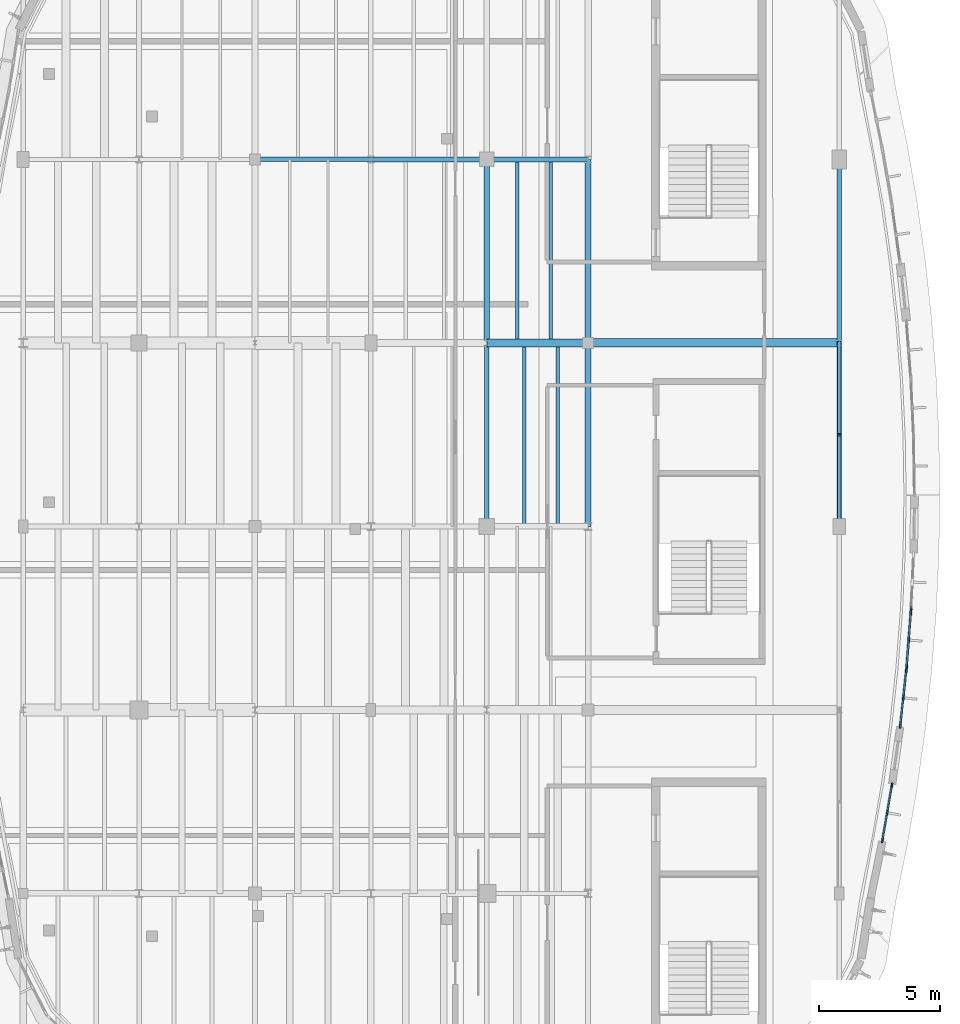
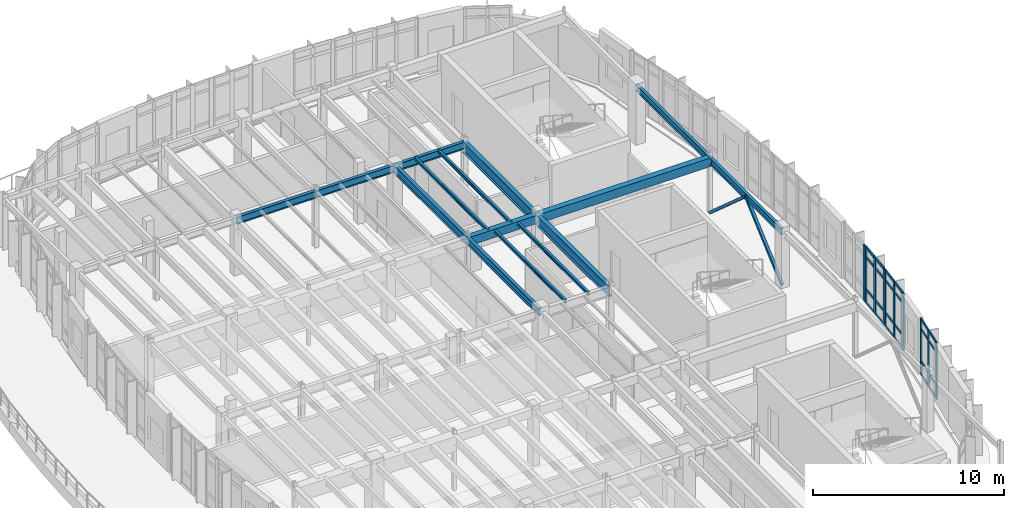
# One storey, part 52 of 111: 36 members, 15 beams, 4 elements without a shape of their own.
"""IFC4 building model written with IfcOpenShell, lengths in metres."""

from ifc_helpers import new_model, si_unit, direction, frame, origin, origin_2d, place, context, subcontext, project, spatial, rectangle, hollow_rectangle, i_section, extrude, material, material_profile, profile_set, type_object, element, aggregate, save


model = new_model("IFC4")

# Units and contexts
model_context = context("Model", 3, precision=1e-05, world=origin(), true_north=direction((0.0, 1.0)))
body_context = subcontext(model_context, "Body", "Model", "MODEL_VIEW")
ifc_project = project(units=[si_unit("LENGTHUNIT", "METRE"), si_unit("AREAUNIT", "SQUARE_METRE"), si_unit("VOLUMEUNIT", "CUBIC_METRE"), si_unit("PLANEANGLEUNIT", "RADIAN"), si_unit("MASSUNIT", "GRAM", prefix="KILO")], contexts=[model_context])

# Site, building, storey
site_placement = place(None, origin())
site = spatial("IfcSite", under=ifc_project, at=site_placement, CompositionType="ELEMENT")
building_placement = place(site_placement, origin())
building = spatial("IfcBuilding", under=site, at=building_placement, Name="Corveleigh Park Community Centre", CompositionType="ELEMENT")
storey_placement = place(building_placement, frame((0.0, 0.0, 4.800048828125)))
storey = spatial("IfcBuildingStorey", under=building, at=storey_placement, Name="L01", CompositionType="ELEMENT", Elevation=4.800048828125)

# Beams
ifc_material_1 = material(Name="Concrete C40/50", Category="concrete")
ifc_material_profile_1 = material_profile(ifc_material_1, rectangle(XDim=0.324951171875, YDim=0.52490234375, at=origin_2d()), Name="RC-325x525", Category="concrete")
ifc_profile_set_1 = profile_set([ifc_material_profile_1], Name="Concrete C40/50")
beam_type_1 = type_object("IfcBeamType", Name="BM-RC-325x525", PredefinedType="BEAM", material=ifc_profile_set_1)
beam_1_placement = place(storey_placement, frame((153.804931640625, 89.0, 3.349365234375), z_axis=(1.0, 0.0, 0.0), x_axis=(0.0, 1.0, 0.0)))
element("IfcBeam", 1, at=beam_1_placement, inside=storey, type_object=beam_type_1, Name="V4 Girder X", PredefinedType="BEAM", context=body_context, shape_type="SweptSolid", body=[
    extrude(rectangle(XDim=0.324951171875, YDim=0.52490234375, at=origin_2d()), origin(), (0.0, 0.0, 1.0), 4.190185546875),
])
ifc_material_profile_2 = material_profile(ifc_material_1, rectangle(XDim=0.35009765625, YDim=0.550048828125, at=origin_2d()), Name="RC-350x550", Category="concrete")
ifc_profile_set_2 = profile_set([ifc_material_profile_2], Name="Concrete C40/50")
beam_type_2 = type_object("IfcBeamType", Name="BM-RC-350x550", PredefinedType="BEAM", material=ifc_profile_set_2)
beam_2_placement = place(storey_placement, frame((158.0048828125, 89.0, 3.3369140625), z_axis=(1.0, 0.0, 0.0), x_axis=(0.0, 1.0, 0.0)))
element("IfcBeam", 2, at=beam_2_placement, inside=storey, type_object=beam_type_2, Name="V4 Girder X", PredefinedType="BEAM", context=body_context, shape_type="SweptSolid", body=[
    extrude(rectangle(XDim=0.35009765625, YDim=0.550048828125, at=origin_2d()), origin(), (0.0, 0.0, 1.0), 10.39013671875),
])
ifc_material_2 = material(Name="Steel S355", Category="steel")
ifc_material_profile_3 = material_profile(ifc_material_2, i_section(OverallWidth=0.13330078125, OverallDepth=0.203125, WebThickness=0.005615234375, FlangeThickness=0.0078125, at=origin_2d()), Name="UKB 203x133x25", Category="steel")
ifc_profile_set_3 = profile_set([ifc_material_profile_3], Name="Steel S355")
beam_type_3 = type_object("IfcBeamType", Name="BM-STL-UKB203x25", PredefinedType="JOIST", material=ifc_profile_set_3)
for number, where, z_axis, x_axis, name in (
    (3, (155.35400390625, 81.405029296875, 3.51025390625), (0.0, 1.0, 0.0), (-1.0, 0.0, 0.0), "Secondary floor joist"),
    (4, (156.739990234375, 81.405029296875, 3.51025390625), (0.0, 1.0, 0.0), (-1.0, 0.0, 0.0), "Secondary floor joist"),
):
    element("IfcBeam", number, at=place(storey_placement, frame(where, z_axis=z_axis, x_axis=x_axis)), inside=storey, type_object=beam_type_3, Name=name, PredefinedType="JOIST", context=body_context, shape_type="SweptSolid", body=[
        extrude(i_section(OverallWidth=0.13330078125, OverallDepth=0.203125, WebThickness=0.005615234375, FlangeThickness=0.0078125, at=origin_2d()), origin(), (0.0, 0.0, 1.0), 7.590087890625),
    ])
ifc_material_profile_4 = material_profile(ifc_material_2, i_section(OverallWidth=0.1337890625, OverallDepth=0.206787109375, WebThickness=0.00634765625, FlangeThickness=0.009521484375, at=origin_2d()), Name="UKB 203x133x30", Category="steel")
ifc_profile_set_4 = profile_set([ifc_material_profile_4], Name="Steel S355")
beam_type_4 = type_object("IfcBeamType", Name="BM-STL-UKB203x30", PredefinedType="JOIST", material=ifc_profile_set_4)
for number, where, z_axis, x_axis, name in (
    (5, (155.06005859375, 89.0048828125, 3.508544921875), (0.0, 1.0, 0.0), (-1.0, 0.0, 0.0), "Secondary floor joist"),
    (6, (156.446044921875, 89.0048828125, 3.508544921875), (0.0, 1.0, 0.0), (-1.0, 0.0, 0.0), "Secondary floor joist"),
):
    element("IfcBeam", number, at=place(storey_placement, frame(where, z_axis=z_axis, x_axis=x_axis)), inside=storey, type_object=beam_type_4, Name=name, PredefinedType="JOIST", context=body_context, shape_type="SweptSolid", body=[
        extrude(i_section(OverallWidth=0.1337890625, OverallDepth=0.206787109375, WebThickness=0.00634765625, FlangeThickness=0.009521484375, at=origin_2d()), origin(), (0.0, 0.0, 1.0), 7.590087890625),
    ])
ifc_material_profile_5 = material_profile(ifc_material_2, i_section(OverallWidth=0.1787109375, OverallDepth=0.409423828125, WebThickness=0.0087890625, FlangeThickness=0.014404296875, at=origin_2d()), Name="UKB 406x178x67", Category="steel")
ifc_profile_set_5 = profile_set([ifc_material_profile_5], Name="Steel S355")
beam_type_5 = type_object("IfcBeamType", Name="BM-STL-UKB406x67", PredefinedType="BEAM", material=ifc_profile_set_5)
beam_3_placement = place(storey_placement, frame((168.39990234375, 81.405029296875, 3.4072265625), z_axis=(0.0, 1.0, 0.0), x_axis=(-1.0, 0.0, 0.0)))
element("IfcBeam", 7, at=beam_3_placement, inside=storey, type_object=beam_type_5, Name="V4 Girder Y", PredefinedType="BEAM", context=body_context, shape_type="SweptSolid", body=[
    extrude(i_section(OverallWidth=0.1787109375, OverallDepth=0.409423828125, WebThickness=0.0087890625, FlangeThickness=0.014404296875, at=origin_2d()), origin(), (0.0, 0.0, 1.0), 7.590087890625),
])
ifc_material_profile_6 = material_profile(ifc_material_2, i_section(OverallWidth=0.179443359375, OverallDepth=0.412841796875, WebThickness=0.009521484375, FlangeThickness=0.01611328125, at=origin_2d()), Name="UKB 406x178x74", Category="steel")
ifc_profile_set_6 = profile_set([ifc_material_profile_6], Name="Steel S355")
beam_type_6 = type_object("IfcBeamType", Name="BM-STL-UKB406x74", PredefinedType="BEAM", material=ifc_profile_set_6)
beam_4_placement = place(storey_placement, frame((168.39990234375, 89.0048828125, 3.405517578125), z_axis=(0.0, 1.0, 0.0), x_axis=(-1.0, 0.0, 0.0)))
element("IfcBeam", 8, at=beam_4_placement, inside=storey, type_object=beam_type_6, Name="V4 Girder Y", PredefinedType="BEAM", context=body_context, shape_type="SweptSolid", body=[
    extrude(i_section(OverallWidth=0.179443359375, OverallDepth=0.412841796875, WebThickness=0.009521484375, FlangeThickness=0.01611328125, at=origin_2d()), origin(), (0.0, 0.0, 1.0), 7.590087890625),
])
ifc_material_profile_7 = material_profile(ifc_material_2, i_section(OverallWidth=0.18994140625, OverallDepth=0.453369140625, WebThickness=0.008544921875, FlangeThickness=0.0126953125, at=origin_2d()), Name="UKB 457x191x67", Category="steel")
ifc_profile_set_7 = profile_set([ifc_material_profile_7], Name="Steel S355")
beam_type_7 = type_object("IfcBeamType", Name="BM-STL-UKB457x67", PredefinedType="BEAM", material=ifc_profile_set_7)
beam_5_placement = place(storey_placement, frame((144.205078125, 96.60009765625, 3.38525390625), z_axis=(1.0, 0.0, 0.0), x_axis=(0.0, 1.0, 0.0)))
element("IfcBeam", 9, at=beam_5_placement, inside=storey, type_object=beam_type_7, Name="V4 Girder X", PredefinedType="BEAM", context=body_context, shape_type="SweptSolid", body=[
    extrude(i_section(OverallWidth=0.18994140625, OverallDepth=0.453369140625, WebThickness=0.008544921875, FlangeThickness=0.0126953125, at=origin_2d()), origin(), (0.0, 0.0, 1.0), 4.7900390625),
])
ifc_material_profile_8 = material_profile(ifc_material_2, i_section(OverallWidth=0.1904296875, OverallDepth=0.45703125, WebThickness=0.009033203125, FlangeThickness=0.014404296875, at=origin_2d()), Name="UKB 457x191x74", Category="steel")
ifc_profile_set_8 = profile_set([ifc_material_profile_8], Name="Steel S355")
beam_type_8 = type_object("IfcBeamType", Name="BM-STL-UKB457x74", PredefinedType="BEAM", material=ifc_profile_set_8)
beam_6_placement = place(storey_placement, frame((149.0048828125, 96.60009765625, 3.383544921875), z_axis=(1.0, 0.0, 0.0), x_axis=(0.0, 1.0, 0.0)))
element("IfcBeam", 10, at=beam_6_placement, inside=storey, type_object=beam_type_8, Name="V4 Girder X", PredefinedType="BEAM", context=body_context, shape_type="SweptSolid", body=[
    extrude(i_section(OverallWidth=0.1904296875, OverallDepth=0.45703125, WebThickness=0.009033203125, FlangeThickness=0.014404296875, at=origin_2d()), origin(), (0.0, 0.0, 1.0), 4.7900390625),
])
ifc_material_profile_9 = material_profile(ifc_material_2, i_section(OverallWidth=0.19140625, OverallDepth=0.4599609375, WebThickness=0.010009765625, FlangeThickness=0.01611328125, at=origin_2d()), Name="UKB 457x191x82", Category="steel")
ifc_profile_set_9 = profile_set([ifc_material_profile_9], Name="Steel S355")
beam_type_9 = type_object("IfcBeamType", Name="BM-STL-UKB457x82", PredefinedType="BEAM", material=ifc_profile_set_9)
beam_7_placement = place(storey_placement, frame((153.804931640625, 96.60009765625, 3.3818359375), z_axis=(1.0, 0.0, 0.0), x_axis=(0.0, 1.0, 0.0)))
element("IfcBeam", 11, at=beam_7_placement, inside=storey, type_object=beam_type_9, Name="V4 Girder X", PredefinedType="BEAM", context=body_context, shape_type="SweptSolid", body=[
    extrude(i_section(OverallWidth=0.19140625, OverallDepth=0.4599609375, WebThickness=0.010009765625, FlangeThickness=0.01611328125, at=origin_2d()), origin(), (0.0, 0.0, 1.0), 4.190185546875),
])
ifc_material_profile_10 = material_profile(ifc_material_2, i_section(OverallWidth=0.19189453125, OverallDepth=0.46337890625, WebThickness=0.010498046875, FlangeThickness=0.017578125, at=origin_2d()), Name="UKB 457x191x89", Category="steel")
ifc_profile_set_10 = profile_set([ifc_material_profile_10], Name="Steel S355")
beam_type_10 = type_object("IfcBeamType", Name="BM-STL-UKB457x89", PredefinedType="BEAM", material=ifc_profile_set_10)
beam_8_placement = place(storey_placement, frame((153.800048828125, 81.405029296875, 3.38037109375), z_axis=(0.0, 1.0, 0.0), x_axis=(-1.0, 0.0, 0.0)))
element("IfcBeam", 12, at=beam_8_placement, inside=storey, type_object=beam_type_10, Name="V4 Girder Y", PredefinedType="BEAM", context=body_context, shape_type="SweptSolid", body=[
    extrude(i_section(OverallWidth=0.19189453125, OverallDepth=0.46337890625, WebThickness=0.010498046875, FlangeThickness=0.017578125, at=origin_2d()), origin(), (0.0, 0.0, 1.0), 7.590087890625),
])
ifc_material_profile_11 = material_profile(ifc_material_2, i_section(OverallWidth=0.209228515625, OverallDepth=0.533203125, WebThickness=0.010009765625, FlangeThickness=0.015625, at=origin_2d()), Name="UKB 533x210x92", Category="steel")
ifc_profile_set_11 = profile_set([ifc_material_profile_11], Name="Steel S355")
beam_type_11 = type_object("IfcBeamType", Name="BM-STL-UKB533x92", PredefinedType="BEAM", material=ifc_profile_set_11)
beam_9_placement = place(storey_placement, frame((153.800048828125, 89.0048828125, 3.345458984375), z_axis=(0.0, 1.0, 0.0), x_axis=(-1.0, 0.0, 0.0)))
element("IfcBeam", 13, at=beam_9_placement, inside=storey, type_object=beam_type_11, Name="V4 Girder Y", PredefinedType="BEAM", context=body_context, shape_type="SweptSolid", body=[
    extrude(i_section(OverallWidth=0.209228515625, OverallDepth=0.533203125, WebThickness=0.010009765625, FlangeThickness=0.015625, at=origin_2d()), origin(), (0.0, 0.0, 1.0), 7.590087890625),
])
ifc_material_profile_12 = material_profile(ifc_material_2, i_section(OverallWidth=0.253662109375, OverallDepth=0.68359375, WebThickness=0.012451171875, FlangeThickness=0.01904296875, at=origin_2d()), Name="UKB 686x254x140", Category="steel")
ifc_profile_set_12 = profile_set([ifc_material_profile_12], Name="Steel S355")
beam_type_12 = type_object("IfcBeamType", Name="BM-STL-UKB686x140", PredefinedType="BEAM", material=ifc_profile_set_12)
beam_10_placement = place(storey_placement, frame((158.0, 81.405029296875, 3.270263671875), z_axis=(0.0, 1.0, 0.0), x_axis=(-1.0, 0.0, 0.0)))
element("IfcBeam", 14, at=beam_10_placement, inside=storey, type_object=beam_type_12, Name="V4 Girder Y", PredefinedType="BEAM", context=body_context, shape_type="SweptSolid", body=[
    extrude(i_section(OverallWidth=0.253662109375, OverallDepth=0.68359375, WebThickness=0.012451171875, FlangeThickness=0.01904296875, at=origin_2d()), origin(), (0.0, 0.0, 1.0), 7.590087890625),
])
ifc_material_profile_13 = material_profile(ifc_material_2, i_section(OverallWidth=0.25439453125, OverallDepth=0.6875, WebThickness=0.01318359375, FlangeThickness=0.02099609375, at=origin_2d()), Name="UKB 686x254x152", Category="steel")
ifc_profile_set_13 = profile_set([ifc_material_profile_13], Name="Steel S355")
beam_type_13 = type_object("IfcBeamType", Name="BM-STL-UKB686x152", PredefinedType="BEAM", material=ifc_profile_set_13)
beam_11_placement = place(storey_placement, frame((158.0, 89.0048828125, 3.268310546875), z_axis=(0.0, 1.0, 0.0), x_axis=(-1.0, 0.0, 0.0)))
element("IfcBeam", 15, at=beam_11_placement, inside=storey, type_object=beam_type_13, Name="V4 Girder Y", PredefinedType="BEAM", context=body_context, shape_type="SweptSolid", body=[
    extrude(i_section(OverallWidth=0.25439453125, OverallDepth=0.6875, WebThickness=0.01318359375, FlangeThickness=0.02099609375, at=origin_2d()), origin(), (0.0, 0.0, 1.0), 7.590087890625),
])

# Curtain wall, members
ifc_material_3 = material(Name="Anodised aluminium 6063-T6", Category="aluminium")
curtain_wall_type = type_object("IfcCurtainWallType", Name="CW-SYS-V4-L01", PredefinedType="NOTDEFINED", material=ifc_material_3)
curtain_wall_1_placement = place(storey_placement, origin())
curtain_wall_1 = element("IfcCurtainWall", 16, at=curtain_wall_1_placement, inside=storey, type_object=curtain_wall_type, Name="V4 L01 Curtain Wall 267", PredefinedType="NOTDEFINED")
ifc_material_profile_14 = material_profile(ifc_material_3, rectangle(XDim=0.070068359375, YDim=0.199951171875, at=origin_2d()), Name="ALU-M70x200", Category="aluminium")
ifc_profile_set_14 = profile_set([ifc_material_profile_14], Name="Anodised aluminium 6063-T6")
member_type_1 = type_object("IfcMemberType", Name="CWM-70x200", PredefinedType="MULLION", material=ifc_profile_set_14)
member_1_placement = place(storey_placement, frame((170.5810546875, 70.681396484375, 0.0), z_axis=(0.0, 0.0, 1.0), x_axis=(0.985554357724, -0.16935940473, 0.0)))
member_1 = element("IfcMember", 17, at=member_1_placement, type_object=member_type_1, Name="CW08 mullion 1", PredefinedType="MULLION", context=body_context, shape_type="SweptSolid", body=[
    extrude(rectangle(XDim=0.070068359375, YDim=0.199951171875, at=origin_2d()), origin(), (0.0, 0.0, 1.0), 3.612060546875),
])
member_2_placement = place(storey_placement, frame((170.385009765625, 69.54052734375, 0.0), z_axis=(0.0, 0.0, 1.0), x_axis=(0.985554357724, -0.16935940473, 0.0)))
member_2 = element("IfcMember", 18, at=member_2_placement, type_object=member_type_1, Name="CW08 mullion 2", PredefinedType="MULLION", context=body_context, shape_type="SweptSolid", body=[
    extrude(rectangle(XDim=0.070068359375, YDim=0.199951171875, at=origin_2d()), origin(), (0.0, 0.0, 1.0), 3.612060546875),
])
member_3_placement = place(storey_placement, frame((170.18896484375, 68.3994140625, 0.0), z_axis=(0.0, 0.0, 1.0), x_axis=(0.985554357724, -0.16935940473, 0.0)))
member_3 = element("IfcMember", 19, at=member_3_placement, type_object=member_type_1, Name="CW08 mullion 3", PredefinedType="MULLION", context=body_context, shape_type="SweptSolid", body=[
    extrude(rectangle(XDim=0.070068359375, YDim=0.199951171875, at=origin_2d()), origin(), (0.0, 0.0, 1.0), 3.612060546875),
])

curtain_wall_2_placement = place(storey_placement, origin())
curtain_wall_2 = element("IfcCurtainWall", 20, at=curtain_wall_2_placement, inside=storey, type_object=curtain_wall_type, Name="V4 L01 Curtain Wall 268", PredefinedType="NOTDEFINED")
ifc_material_profile_15 = material_profile(ifc_material_3, rectangle(XDim=0.074951171875, YDim=0.219970703125, at=origin_2d()), Name="ALU-M75x220", Category="aluminium")
ifc_profile_set_15 = profile_set([ifc_material_profile_15], Name="Anodised aluminium 6063-T6")
member_type_2 = type_object("IfcMemberType", Name="CWM-75x220", PredefinedType="MULLION", material=ifc_profile_set_15)
member_4_placement = place(storey_placement, frame((171.177978515625, 75.45068359375, 0.0), z_axis=(0.0, 0.0, 1.0), x_axis=(0.994136630225, -0.108131218641, 0.0)))
member_4 = element("IfcMember", 21, at=member_4_placement, type_object=member_type_2, Name="CW08 mullion 1", PredefinedType="MULLION", context=body_context, shape_type="SweptSolid", body=[
    extrude(rectangle(XDim=0.074951171875, YDim=0.219970703125, at=origin_2d()), origin(), (0.0, 0.0, 1.0), 3.612060546875),
])
member_5_placement = place(storey_placement, frame((171.052978515625, 74.302001953125, 0.0), z_axis=(0.0, 0.0, 1.0), x_axis=(0.994136630225, -0.108131218641, 0.0)))
member_5 = element("IfcMember", 22, at=member_5_placement, type_object=member_type_2, Name="CW08 mullion 2", PredefinedType="MULLION", context=body_context, shape_type="SweptSolid", body=[
    extrude(rectangle(XDim=0.074951171875, YDim=0.219970703125, at=origin_2d()), origin(), (0.0, 0.0, 1.0), 3.612060546875),
])
member_6_placement = place(storey_placement, frame((170.927978515625, 73.1533203125, 0.0), z_axis=(0.0, 0.0, 1.0), x_axis=(0.994136630225, -0.108131218641, 0.0)))
member_6 = element("IfcMember", 23, at=member_6_placement, type_object=member_type_2, Name="CW08 mullion 3", PredefinedType="MULLION", context=body_context, shape_type="SweptSolid", body=[
    extrude(rectangle(XDim=0.074951171875, YDim=0.219970703125, at=origin_2d()), origin(), (0.0, 0.0, 1.0), 3.612060546875),
])

curtain_wall_3_placement = place(storey_placement, origin())
curtain_wall_3 = element("IfcCurtainWall", 24, at=curtain_wall_3_placement, inside=storey, type_object=curtain_wall_type, Name="V4 L01 Curtain Wall 269", PredefinedType="NOTDEFINED")
ifc_material_profile_16 = material_profile(ifc_material_3, rectangle(XDim=0.080078125, YDim=0.25, at=origin_2d()), Name="ALU-M80x250", Category="aluminium")
ifc_profile_set_16 = profile_set([ifc_material_profile_16], Name="Anodised aluminium 6063-T6")
member_type_3 = type_object("IfcMemberType", Name="CWM-80x250", PredefinedType="MULLION", material=ifc_profile_set_16)
member_7_placement = place(storey_placement, frame((171.364990234375, 77.84521484375, 0.0), z_axis=(0.0, 0.0, 1.0), x_axis=(0.997022350164, -0.077113119982, 0.0)))
member_7 = element("IfcMember", 25, at=member_7_placement, type_object=member_type_3, Name="CW08 mullion 1", PredefinedType="MULLION", context=body_context, shape_type="SweptSolid", body=[
    extrude(rectangle(XDim=0.080078125, YDim=0.25, at=origin_2d()), origin(), (0.0, 0.0, 1.0), 3.612060546875),
])
member_8_placement = place(storey_placement, frame((171.27587890625, 76.695556640625, 0.0), z_axis=(0.0, 0.0, 1.0), x_axis=(0.997022350164, -0.077113119982, 0.0)))
member_8 = element("IfcMember", 26, at=member_8_placement, type_object=member_type_3, Name="CW08 mullion 2", PredefinedType="MULLION", context=body_context, shape_type="SweptSolid", body=[
    extrude(rectangle(XDim=0.080078125, YDim=0.25, at=origin_2d()), origin(), (0.0, 0.0, 1.0), 3.612060546875),
])
member_9_placement = place(storey_placement, frame((171.18701171875, 75.5458984375, 0.0), z_axis=(0.0, 0.0, 1.0), x_axis=(0.997022350164, -0.077113119982, 0.0)))
member_9 = element("IfcMember", 27, at=member_9_placement, type_object=member_type_3, Name="CW08 mullion 3", PredefinedType="MULLION", context=body_context, shape_type="SweptSolid", body=[
    extrude(rectangle(XDim=0.080078125, YDim=0.25, at=origin_2d()), origin(), (0.0, 0.0, 1.0), 3.612060546875),
])

# Curtain wall, member
curtain_wall_4_placement = place(storey_placement, origin())
curtain_wall_4 = element("IfcCurtainWall", 28, at=curtain_wall_4_placement, inside=storey, type_object=curtain_wall_type, Name="V4 L01 Curtain Wall 270", PredefinedType="NOTDEFINED")
ifc_material_profile_17 = material_profile(ifc_material_3, rectangle(XDim=0.0849609375, YDim=0.27490234375, at=origin_2d()), Name="ALU-M85x275", Category="aluminium")
ifc_profile_set_17 = profile_set([ifc_material_profile_17], Name="Anodised aluminium 6063-T6")
member_type_4 = type_object("IfcMemberType", Name="CWM-85x275", PredefinedType="MULLION", material=ifc_profile_set_17)
member_10_placement = place(storey_placement, frame((171.37109375, 77.945556640625, 0.0), z_axis=(0.0, 0.0, 1.0), x_axis=(0.9988982695, -0.046928106618, 0.0)))
member_10 = element("IfcMember", 29, at=member_10_placement, type_object=member_type_4, Name="CW08 mullion 3", PredefinedType="MULLION", context=body_context, shape_type="SweptSolid", body=[
    extrude(rectangle(XDim=0.0849609375, YDim=0.27490234375, at=origin_2d()), origin(), (0.0, 0.0, 1.0), 3.612060546875),
])
aggregate(curtain_wall_4, [member_10])

# Member
ifc_material_profile_18 = material_profile(ifc_material_3, rectangle(XDim=0.06494140625, YDim=0.139892578125, at=origin_2d()), Name="ALU-T65x140", Category="aluminium")
ifc_profile_set_18 = profile_set([ifc_material_profile_18], Name="Anodised aluminium 6063-T6")
member_type_5 = type_object("IfcMemberType", Name="CWT-65x140", PredefinedType="USERDEFINED", material=ifc_profile_set_18)
member_11_placement = place(storey_placement, frame((170.5751953125, 70.64697265625, 0.032470703125), z_axis=(-0.169455935428, -0.985537764851, 0.0), x_axis=(0.985537764851, -0.169455935428, 0.0)))
member_11 = element("IfcMember", 30, at=member_11_placement, type_object=member_type_5, Name="CW08 transom 1.1", ObjectType="TRANSOM", PredefinedType="USERDEFINED", context=body_context, shape_type="SweptSolid", body=[
    extrude(rectangle(XDim=0.06494140625, YDim=0.139892578125, at=origin_2d()), origin(), (0.0, 0.0, 1.0), 1.087646484375),
])

member_12_placement = place(storey_placement, frame((170.5751953125, 70.64697265625, 0.89990234375), z_axis=(-0.169455935428, -0.985537764851, 0.0), x_axis=(0.985537764851, -0.169455935428, 0.0)))
member_12 = element("IfcMember", 31, at=member_12_placement, type_object=member_type_5, Name="CW08 transom 1.2", ObjectType="TRANSOM", PredefinedType="USERDEFINED", context=body_context, shape_type="SweptSolid", body=[
    extrude(rectangle(XDim=0.06494140625, YDim=0.139892578125, at=origin_2d()), origin(), (0.0, 0.0, 1.0), 1.087646484375),
])

member_13_placement = place(storey_placement, frame((170.5751953125, 70.64697265625, 2.9619140625), z_axis=(-0.169455935428, -0.985537764851, 0.0), x_axis=(0.985537764851, -0.169455935428, 0.0)))
member_13 = element("IfcMember", 32, at=member_13_placement, type_object=member_type_5, Name="CW08 transom 1.3", ObjectType="TRANSOM", PredefinedType="USERDEFINED", context=body_context, shape_type="SweptSolid", body=[
    extrude(rectangle(XDim=0.06494140625, YDim=0.139892578125, at=origin_2d()), origin(), (0.0, 0.0, 1.0), 1.087646484375),
])

member_14_placement = place(storey_placement, frame((170.5751953125, 70.64697265625, 3.579345703125), z_axis=(-0.169455935428, -0.985537764851, 0.0), x_axis=(0.985537764851, -0.169455935428, 0.0)))
member_14 = element("IfcMember", 33, at=member_14_placement, type_object=member_type_5, Name="CW08 transom 1.4", ObjectType="TRANSOM", PredefinedType="USERDEFINED", context=body_context, shape_type="SweptSolid", body=[
    extrude(rectangle(XDim=0.06494140625, YDim=0.139892578125, at=origin_2d()), origin(), (0.0, 0.0, 1.0), 1.087646484375),
])

member_15_placement = place(storey_placement, frame((170.379150390625, 69.506103515625, 0.032470703125), z_axis=(-0.169455935428, -0.985537764851, 0.0), x_axis=(0.985537764851, -0.169455935428, 0.0)))
member_15 = element("IfcMember", 34, at=member_15_placement, type_object=member_type_5, Name="CW08 transom 2.1", ObjectType="TRANSOM", PredefinedType="USERDEFINED", context=body_context, shape_type="SweptSolid", body=[
    extrude(rectangle(XDim=0.06494140625, YDim=0.139892578125, at=origin_2d()), origin(), (0.0, 0.0, 1.0), 1.087646484375),
])

member_16_placement = place(storey_placement, frame((170.379150390625, 69.506103515625, 0.89990234375), z_axis=(-0.169455935428, -0.985537764851, 0.0), x_axis=(0.985537764851, -0.169455935428, 0.0)))
member_16 = element("IfcMember", 35, at=member_16_placement, type_object=member_type_5, Name="CW08 transom 2.2", ObjectType="TRANSOM", PredefinedType="USERDEFINED", context=body_context, shape_type="SweptSolid", body=[
    extrude(rectangle(XDim=0.06494140625, YDim=0.139892578125, at=origin_2d()), origin(), (0.0, 0.0, 1.0), 1.087646484375),
])

member_17_placement = place(storey_placement, frame((170.379150390625, 69.506103515625, 2.9619140625), z_axis=(-0.169455935428, -0.985537764851, 0.0), x_axis=(0.985537764851, -0.169455935428, 0.0)))
member_17 = element("IfcMember", 36, at=member_17_placement, type_object=member_type_5, Name="CW08 transom 2.3", ObjectType="TRANSOM", PredefinedType="USERDEFINED", context=body_context, shape_type="SweptSolid", body=[
    extrude(rectangle(XDim=0.06494140625, YDim=0.139892578125, at=origin_2d()), origin(), (0.0, 0.0, 1.0), 1.087646484375),
])

member_18_placement = place(storey_placement, frame((170.379150390625, 69.506103515625, 3.579345703125), z_axis=(-0.169455935428, -0.985537764851, 0.0), x_axis=(0.985537764851, -0.169455935428, 0.0)))
member_18 = element("IfcMember", 37, at=member_18_placement, type_object=member_type_5, Name="CW08 transom 2.4", ObjectType="TRANSOM", PredefinedType="USERDEFINED", context=body_context, shape_type="SweptSolid", body=[
    extrude(rectangle(XDim=0.06494140625, YDim=0.139892578125, at=origin_2d()), origin(), (0.0, 0.0, 1.0), 1.087646484375),
])

aggregate(curtain_wall_1, [member_1, member_2, member_3, member_11, member_12, member_13, member_14, member_15, member_16, member_17, member_18])

ifc_material_profile_19 = material_profile(ifc_material_3, rectangle(XDim=0.070068359375, YDim=0.155029296875, at=origin_2d()), Name="ALU-T70x155", Category="aluminium")
ifc_profile_set_19 = profile_set([ifc_material_profile_19], Name="Anodised aluminium 6063-T6")
member_type_6 = type_object("IfcMemberType", Name="CWT-70x155", PredefinedType="USERDEFINED", material=ifc_profile_set_19)
member_19_placement = place(storey_placement, frame((171.173828125, 75.413330078125, 0.034912109375), z_axis=(-0.108025191864, -0.994148156928, 0.0), x_axis=(0.994148156928, -0.108025191864, 0.0)))
member_19 = element("IfcMember", 38, at=member_19_placement, type_object=member_type_6, Name="CW08 transom 1.1", ObjectType="TRANSOM", PredefinedType="USERDEFINED", context=body_context, shape_type="SweptSolid", body=[
    extrude(rectangle(XDim=0.070068359375, YDim=0.155029296875, at=origin_2d()), origin(), (0.0, 0.0, 1.0), 1.080322265625),
])

member_20_placement = place(storey_placement, frame((171.173828125, 75.413330078125, 0.89990234375), z_axis=(-0.108025191864, -0.994148156928, 0.0), x_axis=(0.994148156928, -0.108025191864, 0.0)))
member_20 = element("IfcMember", 39, at=member_20_placement, type_object=member_type_6, Name="CW08 transom 1.2", ObjectType="TRANSOM", PredefinedType="USERDEFINED", context=body_context, shape_type="SweptSolid", body=[
    extrude(rectangle(XDim=0.070068359375, YDim=0.155029296875, at=origin_2d()), origin(), (0.0, 0.0, 1.0), 1.080322265625),
])

member_21_placement = place(storey_placement, frame((171.173828125, 75.413330078125, 2.9619140625), z_axis=(-0.108025191864, -0.994148156928, 0.0), x_axis=(0.994148156928, -0.108025191864, 0.0)))
member_21 = element("IfcMember", 40, at=member_21_placement, type_object=member_type_6, Name="CW08 transom 1.3", ObjectType="TRANSOM", PredefinedType="USERDEFINED", context=body_context, shape_type="SweptSolid", body=[
    extrude(rectangle(XDim=0.070068359375, YDim=0.155029296875, at=origin_2d()), origin(), (0.0, 0.0, 1.0), 1.080322265625),
])

member_22_placement = place(storey_placement, frame((171.173828125, 75.413330078125, 3.576904296875), z_axis=(-0.108025191864, -0.994148156928, 0.0), x_axis=(0.994148156928, -0.108025191864, 0.0)))
member_22 = element("IfcMember", 41, at=member_22_placement, type_object=member_type_6, Name="CW08 transom 1.4", ObjectType="TRANSOM", PredefinedType="USERDEFINED", context=body_context, shape_type="SweptSolid", body=[
    extrude(rectangle(XDim=0.070068359375, YDim=0.155029296875, at=origin_2d()), origin(), (0.0, 0.0, 1.0), 1.080322265625),
])

member_23_placement = place(storey_placement, frame((171.048828125, 74.2646484375, 0.034912109375), z_axis=(-0.108025191864, -0.994148156928, 0.0), x_axis=(0.994148156928, -0.108025191864, 0.0)))
member_23 = element("IfcMember", 42, at=member_23_placement, type_object=member_type_6, Name="CW08 transom 2.1", ObjectType="TRANSOM", PredefinedType="USERDEFINED", context=body_context, shape_type="SweptSolid", body=[
    extrude(rectangle(XDim=0.070068359375, YDim=0.155029296875, at=origin_2d()), origin(), (0.0, 0.0, 1.0), 1.080322265625),
])

member_24_placement = place(storey_placement, frame((171.048828125, 74.2646484375, 0.89990234375), z_axis=(-0.108025191864, -0.994148156928, 0.0), x_axis=(0.994148156928, -0.108025191864, 0.0)))
member_24 = element("IfcMember", 43, at=member_24_placement, type_object=member_type_6, Name="CW08 transom 2.2", ObjectType="TRANSOM", PredefinedType="USERDEFINED", context=body_context, shape_type="SweptSolid", body=[
    extrude(rectangle(XDim=0.070068359375, YDim=0.155029296875, at=origin_2d()), origin(), (0.0, 0.0, 1.0), 1.080322265625),
])

member_25_placement = place(storey_placement, frame((171.048828125, 74.2646484375, 2.9619140625), z_axis=(-0.108025191864, -0.994148156928, 0.0), x_axis=(0.994148156928, -0.108025191864, 0.0)))
member_25 = element("IfcMember", 44, at=member_25_placement, type_object=member_type_6, Name="CW08 transom 2.3", ObjectType="TRANSOM", PredefinedType="USERDEFINED", context=body_context, shape_type="SweptSolid", body=[
    extrude(rectangle(XDim=0.070068359375, YDim=0.155029296875, at=origin_2d()), origin(), (0.0, 0.0, 1.0), 1.080322265625),
])

member_26_placement = place(storey_placement, frame((171.048828125, 74.2646484375, 3.576904296875), z_axis=(-0.108025191864, -0.994148156928, 0.0), x_axis=(0.994148156928, -0.108025191864, 0.0)))
member_26 = element("IfcMember", 45, at=member_26_placement, type_object=member_type_6, Name="CW08 transom 2.4", ObjectType="TRANSOM", PredefinedType="USERDEFINED", context=body_context, shape_type="SweptSolid", body=[
    extrude(rectangle(XDim=0.070068359375, YDim=0.155029296875, at=origin_2d()), origin(), (0.0, 0.0, 1.0), 1.080322265625),
])

aggregate(curtain_wall_2, [member_4, member_5, member_6, member_19, member_20, member_21, member_22, member_23, member_24, member_25, member_26])

ifc_material_profile_20 = material_profile(ifc_material_3, rectangle(XDim=0.074951171875, YDim=0.175048828125, at=origin_2d()), Name="ALU-T75x175", Category="aluminium")
ifc_profile_set_20 = profile_set([ifc_material_profile_20], Name="Anodised aluminium 6063-T6")
member_type_7 = type_object("IfcMemberType", Name="CWT-75x175", PredefinedType="USERDEFINED", material=ifc_profile_set_20)
member_27_placement = place(storey_placement, frame((171.36181640625, 77.80517578125, 0.037353515625), z_axis=(-0.077131468635, -0.997020930847, 0.0), x_axis=(0.997020930847, -0.077131468635, 0.0)))
member_27 = element("IfcMember", 46, at=member_27_placement, type_object=member_type_7, Name="CW08 transom 1.1", ObjectType="TRANSOM", PredefinedType="USERDEFINED", context=body_context, shape_type="SweptSolid", body=[
    extrude(rectangle(XDim=0.074951171875, YDim=0.175048828125, at=origin_2d()), origin(), (0.0, 0.0, 1.0), 1.072998046875),
])

member_28_placement = place(storey_placement, frame((171.36181640625, 77.80517578125, 0.89990234375), z_axis=(-0.077131468635, -0.997020930847, 0.0), x_axis=(0.997020930847, -0.077131468635, 0.0)))
member_28 = element("IfcMember", 47, at=member_28_placement, type_object=member_type_7, Name="CW08 transom 1.2", ObjectType="TRANSOM", PredefinedType="USERDEFINED", context=body_context, shape_type="SweptSolid", body=[
    extrude(rectangle(XDim=0.074951171875, YDim=0.175048828125, at=origin_2d()), origin(), (0.0, 0.0, 1.0), 1.072998046875),
])

member_29_placement = place(storey_placement, frame((171.36181640625, 77.80517578125, 2.9619140625), z_axis=(-0.077131468635, -0.997020930847, 0.0), x_axis=(0.997020930847, -0.077131468635, 0.0)))
member_29 = element("IfcMember", 48, at=member_29_placement, type_object=member_type_7, Name="CW08 transom 1.3", ObjectType="TRANSOM", PredefinedType="USERDEFINED", context=body_context, shape_type="SweptSolid", body=[
    extrude(rectangle(XDim=0.074951171875, YDim=0.175048828125, at=origin_2d()), origin(), (0.0, 0.0, 1.0), 1.072998046875),
])

member_30_placement = place(storey_placement, frame((171.36181640625, 77.80517578125, 3.574462890625), z_axis=(-0.077131468635, -0.997020930847, 0.0), x_axis=(0.997020930847, -0.077131468635, 0.0)))
member_30 = element("IfcMember", 49, at=member_30_placement, type_object=member_type_7, Name="CW08 transom 1.4", ObjectType="TRANSOM", PredefinedType="USERDEFINED", context=body_context, shape_type="SweptSolid", body=[
    extrude(rectangle(XDim=0.074951171875, YDim=0.175048828125, at=origin_2d()), origin(), (0.0, 0.0, 1.0), 1.072998046875),
])

member_31_placement = place(storey_placement, frame((171.27294921875, 76.655517578125, 0.037353515625), z_axis=(-0.077131468635, -0.997020930847, 0.0), x_axis=(0.997020930847, -0.077131468635, 0.0)))
member_31 = element("IfcMember", 50, at=member_31_placement, type_object=member_type_7, Name="CW08 transom 2.1", ObjectType="TRANSOM", PredefinedType="USERDEFINED", context=body_context, shape_type="SweptSolid", body=[
    extrude(rectangle(XDim=0.074951171875, YDim=0.175048828125, at=origin_2d()), origin(), (0.0, 0.0, 1.0), 1.072998046875),
])

member_32_placement = place(storey_placement, frame((171.27294921875, 76.655517578125, 0.89990234375), z_axis=(-0.077131468635, -0.997020930847, 0.0), x_axis=(0.997020930847, -0.077131468635, 0.0)))
member_32 = element("IfcMember", 51, at=member_32_placement, type_object=member_type_7, Name="CW08 transom 2.2", ObjectType="TRANSOM", PredefinedType="USERDEFINED", context=body_context, shape_type="SweptSolid", body=[
    extrude(rectangle(XDim=0.074951171875, YDim=0.175048828125, at=origin_2d()), origin(), (0.0, 0.0, 1.0), 1.072998046875),
])

member_33_placement = place(storey_placement, frame((171.27294921875, 76.655517578125, 2.9619140625), z_axis=(-0.077131468635, -0.997020930847, 0.0), x_axis=(0.997020930847, -0.077131468635, 0.0)))
member_33 = element("IfcMember", 52, at=member_33_placement, type_object=member_type_7, Name="CW08 transom 2.3", ObjectType="TRANSOM", PredefinedType="USERDEFINED", context=body_context, shape_type="SweptSolid", body=[
    extrude(rectangle(XDim=0.074951171875, YDim=0.175048828125, at=origin_2d()), origin(), (0.0, 0.0, 1.0), 1.072998046875),
])

member_34_placement = place(storey_placement, frame((171.27294921875, 76.655517578125, 3.574462890625), z_axis=(-0.077131468635, -0.997020930847, 0.0), x_axis=(0.997020930847, -0.077131468635, 0.0)))
member_34 = element("IfcMember", 53, at=member_34_placement, type_object=member_type_7, Name="CW08 transom 2.4", ObjectType="TRANSOM", PredefinedType="USERDEFINED", context=body_context, shape_type="SweptSolid", body=[
    extrude(rectangle(XDim=0.074951171875, YDim=0.175048828125, at=origin_2d()), origin(), (0.0, 0.0, 1.0), 1.072998046875),
])

aggregate(curtain_wall_3, [member_7, member_8, member_9, member_27, member_28, member_29, member_30, member_31, member_32, member_33, member_34])

# Members
ifc_material_profile_21 = material_profile(ifc_material_2, hollow_rectangle(XDim=0.159912109375, YDim=0.159912109375, WallThickness=0.010009765625, at=origin_2d()), Name="SHS 160x160x10.0", Category="steel")
ifc_profile_set_21 = profile_set([ifc_material_profile_21], Name="Steel S355")
member_type_8 = type_object("IfcMemberType", Name="MEM-BRC-SHS160", PredefinedType="BRACE", material=ifc_profile_set_21)
for number, where, z_axis, x_axis, name in (
    (54, (168.39990234375, 81.39990234375, 0.0), (0.0, 0.748949720876, 0.662626829822), (-1.0, 0.0, 0.0), "Spine chevron brace"),
    (55, (168.39990234375, 89.0, 0.0), (0.0, -0.748949720876, 0.662626829822), (1.0, 0.0, 0.0), "Spine chevron brace"),
):
    element("IfcMember", number, at=place(storey_placement, frame(where, z_axis=z_axis, x_axis=x_axis)), inside=storey, type_object=member_type_8, Name=name, PredefinedType="BRACE", context=body_context, shape_type="SweptSolid", body=[
        extrude(hollow_rectangle(XDim=0.159912109375, YDim=0.159912109375, WallThickness=0.010009765625, at=origin_2d()), origin(), (0.0, 0.0, 1.0), 5.07373046875),
    ])

save(model, "model.ifc")
